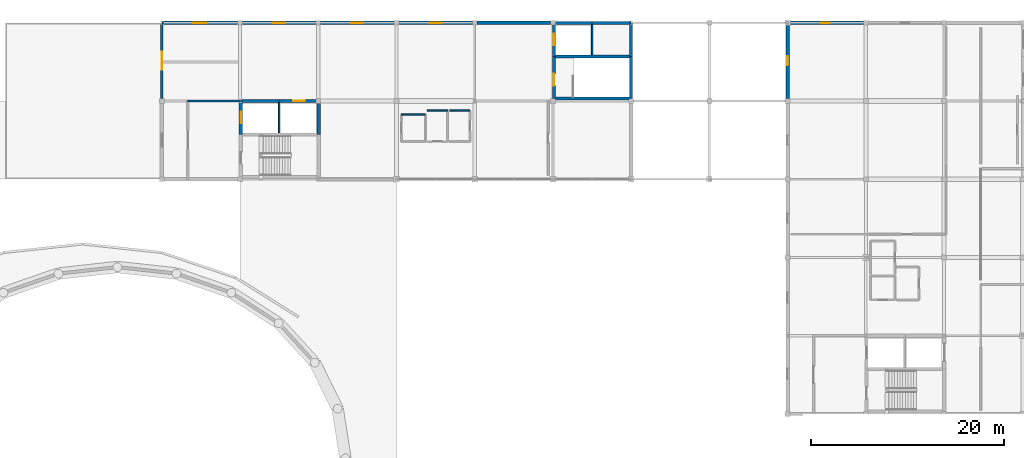
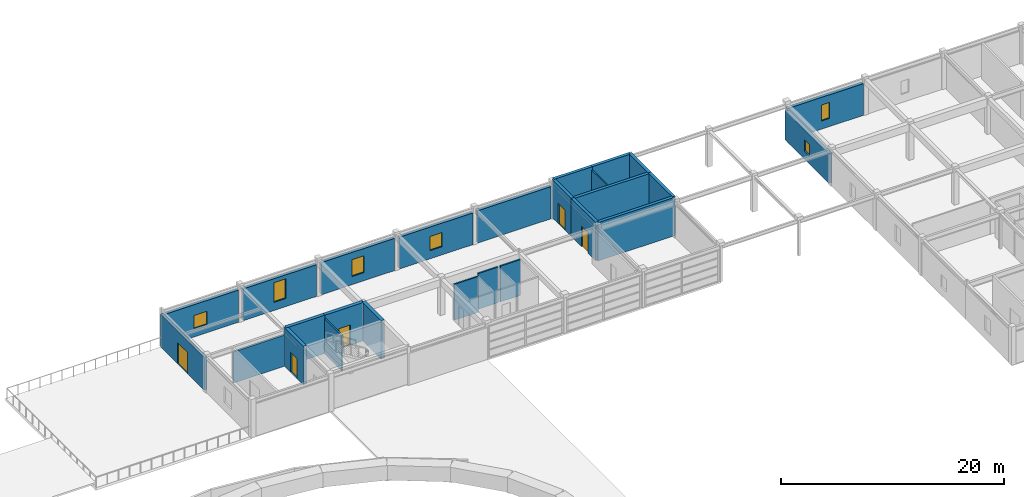
# One storey, part 19 of 26: 26 walls, 6 windows, 5 doors, 11 openings.
"""IFC4 building model written with IfcOpenShell, lengths in metres."""

from ifc_helpers import new_model, si_unit, direction, frame, frame_2d, origin, place, context, subcontext, project, spatial, rectangle, extrude, material, layer, layer_set, type_object, element, fill, save


model = new_model("IFC4")

# Units and contexts
model_context = context("Model", 3, precision=1e-05, world=origin(), true_north=direction((0.0, 1.0)))
body_context = subcontext(model_context, "Body", "Model", "MODEL_VIEW")
ifc_project = project(units=[si_unit("LENGTHUNIT", "METRE"), si_unit("AREAUNIT", "SQUARE_METRE"), si_unit("VOLUMEUNIT", "CUBIC_METRE"), si_unit("PLANEANGLEUNIT", "RADIAN"), si_unit("MASSUNIT", "GRAM", prefix="KILO")], contexts=[model_context])

# Site, building, storey
site_placement = place(None, origin())
site = spatial("IfcSite", under=ifc_project, at=site_placement, CompositionType="ELEMENT")
building_placement = place(site_placement, origin())
building = spatial("IfcBuilding", under=site, at=building_placement, Name="Parian Resonance Hall", CompositionType="ELEMENT")
storey_placement = place(building_placement, frame((0.0, 0.0, 19.199951171875)))
storey = spatial("IfcBuildingStorey", under=building, at=storey_placement, Name="L04", CompositionType="ELEMENT", Elevation=19.199951171875)

# Wall, opening, door
ifc_material_1 = material(Name="Concrete C40/50", Category="concrete")
ifc_layer_1 = layer(ifc_material_1, 0.31005859375)
ifc_layer_set_1 = layer_set([ifc_layer_1], Name="Concrete C40/50")
wall_type_1 = type_object("IfcWallType", Name="CW310", PredefinedType="SHEAR", material=ifc_layer_set_1)
wall_1_placement = place(storey_placement, frame((89.18994140625, 81.25, 0.0), z_axis=(0.0, 0.0, 1.0), x_axis=(0.0, 1.0, 0.0)))
wall_1 = element("IfcWall", 1, at=wall_1_placement, inside=storey, type_object=wall_type_1, Name="Core K5 stairwell west shear wall L04", PredefinedType="SHEAR", context=body_context, shape_type="SweptSolid", body=[
    extrude(rectangle(XDim=4.360107421875, YDim=0.31005859375, at=frame_2d((2.18017578125, 0.0))), origin(), (0.0, 0.0, 1.0), 4.199951171875),
])
opening_1_placement = place(wall_1_placement, frame((1.35009765625, 0.0, 0.0)))
opening_1 = element("IfcOpeningElement", 2, at=opening_1_placement, cuts=wall_1, Name="Opening FD-01", PredefinedType="OPENING", context=body_context, shape_type="SweptSolid", body=[
    extrude(rectangle(XDim=1.199951171875, YDim=2.25, at=frame_2d((0.60009765625, 1.125))), frame((0.0, 0.1650390625, 0.0), z_axis=(0.0, -1.0, 0.0), x_axis=(1.0, 0.0, 0.0)), (0.0, 0.0, 1.0), 0.330078125),
])
ifc_material_2 = material(Name="Fire-rated acoustic steel and narra timber door", Category="steel")
door_type_1 = type_object("IfcDoorType", Name="FD-01", OperationType="NOTDEFINED", PredefinedType="DOOR", material=ifc_material_2)
door_1_placement = place(opening_1_placement, origin())
door_1 = element("IfcDoor", 3, at=door_1_placement, inside=storey, type_object=door_type_1, Name="Exit stair ST-05 fire door L04", OperationType="SINGLE_SWING_RIGHT", OverallHeight=2.25, OverallWidth=1.199951171875, PredefinedType="DOOR", context=body_context, shape_type="SweptSolid", body=[
    extrude(rectangle(XDim=1.199951171875, YDim=2.25, at=frame_2d((0.60009765625, 1.125))), frame((0.0, 0.02490234375, 0.0), z_axis=(0.0, -1.0, 0.0), x_axis=(1.0, 0.0, 0.0)), (0.0, 0.0, 1.0), 0.050048828125),
])
fill(opening_1, door_1)

wall_2_placement = place(storey_placement, frame((89.18994140625, 85.610107421875, 0.0), z_axis=(0.0, 0.0, 1.0), x_axis=(0.0, 1.0, 0.0)))
wall_2 = element("IfcWall", 4, at=wall_2_placement, inside=storey, type_object=wall_type_1, Name="Core K5 lift shaft west shear wall L04", PredefinedType="SHEAR", context=body_context, shape_type="SweptSolid", body=[
    extrude(rectangle(XDim=3.489990234375, YDim=0.31005859375, at=frame_2d((1.7451171875, 0.0))), origin(), (0.0, 0.0, 1.0), 4.199951171875),
])
opening_2_placement = place(wall_2_placement, frame((1.14501953125, 0.0, 0.0)))
opening_2 = element("IfcOpeningElement", 5, at=opening_2_placement, cuts=wall_2, Name="Opening LD-01", PredefinedType="OPENING", context=body_context, shape_type="SweptSolid", body=[
    extrude(rectangle(XDim=1.199951171875, YDim=2.199951171875, at=frame_2d((0.60009765625, 1.10009765625))), frame((0.0, 0.1650390625, 0.0), z_axis=(0.0, -1.0, 0.0), x_axis=(1.0, 0.0, 0.0)), (0.0, 0.0, 1.0), 0.330078125),
])
ifc_material_3 = material(Name="Stainless steel and bronze elevator cab", Category="steel")
door_type_2 = type_object("IfcDoorType", Name="DOOR-LIFT-1200x2200", OperationType="SLIDING_TO_LEFT", PredefinedType="DOOR", material=ifc_material_3)
door_2_placement = place(opening_2_placement, origin())
door_2 = element("IfcDoor", 6, at=door_2_placement, inside=storey, type_object=door_type_2, Name="Lift LF-06 sliding landing door L04", OperationType="SLIDING_TO_LEFT", OverallHeight=2.199951171875, OverallWidth=1.199951171875, PredefinedType="DOOR", context=body_context, shape_type="SweptSolid", body=[
    extrude(rectangle(XDim=1.199951171875, YDim=2.199951171875, at=frame_2d((0.60009765625, 1.10009765625))), frame((0.0, 0.02490234375, 0.0), z_axis=(0.0, -1.0, 0.0), x_axis=(1.0, 0.0, 0.0)), (0.0, 0.0, 1.0), 0.050048828125),
])
fill(opening_2, door_2)

# Walls
wall_3_placement = place(storey_placement, frame((89.18994140625, 89.10009765625, 0.0), z_axis=(0.0, 0.0, 1.0), x_axis=(1.0, 0.0, 0.0)))
element("IfcWall", 7, at=wall_3_placement, inside=storey, type_object=wall_type_1, Name="Core K5 north-west shaft wall L04", PredefinedType="SHEAR", context=body_context, shape_type="SweptSolid", body=[
    extrude(rectangle(XDim=3.9599609375, YDim=0.31005859375, at=frame_2d((1.97998046875, 0.0))), origin(), (0.0, 0.0, 1.0), 4.199951171875),
])
wall_4_placement = place(storey_placement, frame((93.14990234375, 89.10009765625, 0.0), z_axis=(0.0, 0.0, 1.0), x_axis=(1.0, 0.0, 0.0)))
element("IfcWall", 8, at=wall_4_placement, inside=storey, type_object=wall_type_1, Name="Core K5 north-east shaft wall L04", PredefinedType="SHEAR", context=body_context, shape_type="SweptSolid", body=[
    extrude(rectangle(XDim=4.02001953125, YDim=0.31005859375, at=frame_2d((2.010009765625, 0.0))), origin(), (0.0, 0.0, 1.0), 4.199951171875),
])
wall_5_placement = place(storey_placement, frame((97.169921875, 89.10009765625, 0.0), z_axis=(0.0, 0.0, 1.0), x_axis=(0.0, -1.0, 0.0)))
element("IfcWall", 9, at=wall_5_placement, inside=storey, type_object=wall_type_1, Name="Core K5 east shaft wall L04", PredefinedType="SHEAR", context=body_context, shape_type="SweptSolid", body=[
    extrude(rectangle(XDim=3.489990234375, YDim=0.31005859375, at=frame_2d((1.7451171875, 0.0))), origin(), (0.0, 0.0, 1.0), 4.199951171875),
])
wall_6_placement = place(storey_placement, frame((97.169921875, 85.610107421875, 0.0), z_axis=(0.0, 0.0, 1.0), x_axis=(0.0, -1.0, 0.0)))
element("IfcWall", 10, at=wall_6_placement, inside=storey, type_object=wall_type_1, Name="Core K5 stairwell east wall L04", PredefinedType="SHEAR", context=body_context, shape_type="SweptSolid", body=[
    extrude(rectangle(XDim=4.360107421875, YDim=0.31005859375, at=frame_2d((2.18017578125, 0.0))), origin(), (0.0, 0.0, 1.0), 4.199951171875),
])
for number, where, z_axis, x_axis, name in (
    (11, (97.169921875, 81.25, 0.0), (0.0, 0.0, 1.0), (-1.0, 0.0, 0.0), "Core K5 stairwell south wall L04"),
    (12, (89.18994140625, 85.610107421875, 0.0), (0.0, 0.0, 1.0), (1.0, 0.0, 0.0), "Core K5 stair-lift divider wall L04"),
):
    element("IfcWall", number, at=place(storey_placement, frame(where, z_axis=z_axis, x_axis=x_axis)), inside=storey, type_object=wall_type_1, Name=name, PredefinedType="SHEAR", context=body_context, shape_type="SweptSolid", body=[
        extrude(rectangle(XDim=7.97998046875, YDim=0.31005859375, at=frame_2d((3.989990234375, 0.0))), origin(), (0.0, 0.0, 1.0), 4.199951171875),
    ])

# Wall, opening, door
ifc_material_4 = material(Name="Concrete C40/50", Category="concrete")
ifc_layer_2 = layer(ifc_material_4, 0.35009765625)
ifc_layer_set_2 = layer_set([ifc_layer_2], Name="Concrete C40/50")
wall_type_2 = type_object("IfcWallType", Name="CW350", PredefinedType="SHEAR", material=ifc_layer_set_2)
wall_7_placement = place(storey_placement, frame((56.77001953125, 77.550048828125, 0.0), z_axis=(0.0, 0.0, 1.0), x_axis=(0.0, 1.0, 0.0)))
wall_7 = element("IfcWall", 13, at=wall_7_placement, inside=storey, type_object=wall_type_2, Name="Core K1 lift shaft west shear wall L04", PredefinedType="SHEAR", context=body_context, shape_type="SweptSolid", body=[
    extrude(rectangle(XDim=3.449951171875, YDim=0.35009765625, at=frame_2d((1.72509765625, 0.0))), origin(), (0.0, 0.0, 1.0), 4.199951171875),
])
opening_3_placement = place(wall_7_placement, frame((1.125, 0.0, 0.0)))
opening_3 = element("IfcOpeningElement", 14, at=opening_3_placement, cuts=wall_7, Name="Opening LD-01", PredefinedType="OPENING", context=body_context, shape_type="SweptSolid", body=[
    extrude(rectangle(XDim=1.199951171875, YDim=2.199951171875, at=frame_2d((0.60009765625, 1.10009765625))), frame((0.0, 0.18505859375, 0.0), z_axis=(0.0, -1.0, 0.0), x_axis=(1.0, 0.0, 0.0)), (0.0, 0.0, 1.0), 0.3701171875),
])
door_3_placement = place(opening_3_placement, origin())
door_3 = element("IfcDoor", 15, at=door_3_placement, inside=storey, type_object=door_type_2, Name="Lift LF-01 sliding landing door L04", OperationType="SLIDING_TO_LEFT", OverallHeight=2.199951171875, OverallWidth=1.199951171875, PredefinedType="DOOR", context=body_context, shape_type="SweptSolid", body=[
    extrude(rectangle(XDim=1.199951171875, YDim=2.199951171875, at=frame_2d((0.60009765625, 1.10009765625))), frame((0.0, 0.02490234375, 0.0), z_axis=(0.0, -1.0, 0.0), x_axis=(1.0, 0.0, 0.0)), (0.0, 0.0, 1.0), 0.050048828125),
])
fill(opening_3, door_3)

# Wall
wall_8_placement = place(storey_placement, frame((56.77001953125, 81.0, 0.0), z_axis=(0.0, 0.0, 1.0), x_axis=(1.0, 0.0, 0.0)))
element("IfcWall", 16, at=wall_8_placement, inside=storey, type_object=wall_type_2, Name="Core K1 north-west shaft wall L04", PredefinedType="SHEAR", context=body_context, shape_type="SweptSolid", body=[
    extrude(rectangle(XDim=3.97998046875, YDim=0.35009765625, at=frame_2d((1.989990234375, 0.0))), origin(), (0.0, 0.0, 1.0), 4.199951171875),
])

# Wall, opening, door
wall_9_placement = place(storey_placement, frame((60.75, 81.0, 0.0), z_axis=(0.0, 0.0, 1.0), x_axis=(1.0, 0.0, 0.0)))
wall_9 = element("IfcWall", 17, at=wall_9_placement, inside=storey, type_object=wall_type_2, Name="Core K1 north-east shaft wall L04", PredefinedType="SHEAR", context=body_context, shape_type="SweptSolid", body=[
    extrude(rectangle(XDim=4.080078125, YDim=0.35009765625, at=frame_2d((2.0400390625, 0.0))), origin(), (0.0, 0.0, 1.0), 4.199951171875),
])
opening_4_placement = place(wall_9_placement, frame((1.43994140625, 0.0, 0.0)))
opening_4 = element("IfcOpeningElement", 18, at=opening_4_placement, cuts=wall_9, Name="Opening LD-01", PredefinedType="OPENING", context=body_context, shape_type="SweptSolid", body=[
    extrude(rectangle(XDim=1.199951171875, YDim=2.199951171875, at=frame_2d((0.60009765625, 1.10009765625))), frame((0.0, 0.18505859375, 0.0), z_axis=(0.0, -1.0, 0.0), x_axis=(1.0, 0.0, 0.0)), (0.0, 0.0, 1.0), 0.3701171875),
])
door_4_placement = place(opening_4_placement, origin())
door_4 = element("IfcDoor", 19, at=door_4_placement, inside=storey, type_object=door_type_2, Name="Lift LF-03 sliding landing door L04", OperationType="SLIDING_TO_LEFT", OverallHeight=2.199951171875, OverallWidth=1.199951171875, PredefinedType="DOOR", context=body_context, shape_type="SweptSolid", body=[
    extrude(rectangle(XDim=1.199951171875, YDim=2.199951171875, at=frame_2d((0.60009765625, 1.10009765625))), frame((0.0, 0.02490234375, 0.0), z_axis=(0.0, -1.0, 0.0), x_axis=(1.0, 0.0, 0.0)), (0.0, 0.0, 1.0), 0.050048828125),
])
fill(opening_4, door_4)

# Wall
wall_10_placement = place(storey_placement, frame((64.830078125, 81.0, 0.0), z_axis=(0.0, 0.0, 1.0), x_axis=(0.0, -1.0, 0.0)))
element("IfcWall", 20, at=wall_10_placement, inside=storey, type_object=wall_type_2, Name="Core K1 east shaft wall L04", PredefinedType="SHEAR", context=body_context, shape_type="SweptSolid", body=[
    extrude(rectangle(XDim=3.449951171875, YDim=0.35009765625, at=frame_2d((1.72509765625, 0.0))), origin(), (0.0, 0.0, 1.0), 4.199951171875),
])

# Wall, opening, window
ifc_material_5 = material(Name="Concrete C35/45 with Carcar coral-limestone ashlar", Category="masonry")
ifc_layer_3 = layer(ifc_material_5, 0.340087890625)
ifc_layer_set_3 = layer_set([ifc_layer_3], Name="Concrete C35/45 with Carcar coral-limestone ashlar")
wall_type_3 = type_object("IfcWallType", Name="EW-STONE-340", PredefinedType="SOLIDWALL", material=ifc_layer_set_3)
wall_11_placement = place(storey_placement, frame((121.25, 89.10009765625, 0.0), z_axis=(0.0, 0.0, 1.0), x_axis=(-1.0, 0.0, 0.0)))
wall_11 = element("IfcWall", 21, at=wall_11_placement, inside=storey, type_object=wall_type_3, Name="Perimeter closure wall L04", PredefinedType="SOLIDWALL", context=body_context, shape_type="SweptSolid", body=[
    extrude(rectangle(XDim=7.85009765625, YDim=0.340087890625, at=frame_2d((3.925048828125, 0.0))), origin(), (0.0, 0.0, 1.0), 3.485107421875),
])
opening_5_placement = place(wall_11_placement, frame((3.5, 0.0, 0.89990234375)))
opening_5 = element("IfcOpeningElement", 22, at=opening_5_placement, cuts=wall_11, Name="Opening WN-03", PredefinedType="OPENING", context=body_context, shape_type="SweptSolid", body=[
    extrude(rectangle(XDim=0.85009765625, YDim=1.75, at=frame_2d((0.425048828125, 0.875))), frame((0.0, 0.179931640625, 0.0), z_axis=(0.0, -1.0, 0.0), x_axis=(1.0, 0.0, 0.0)), (0.0, 0.0, 1.0), 0.360107421875),
])
ifc_material_6 = material(Name="Acoustic laminated double glazing", Category="glass")
window_type_1 = type_object("IfcWindowType", Name="WIN-850x1750", PartitioningType="SINGLE_PANEL", PredefinedType="WINDOW", material=ifc_material_6)
window_1_placement = place(opening_5_placement, origin())
window_1 = element("IfcWindow", 23, at=window_1_placement, inside=storey, type_object=window_type_1, Name="Acoustic window L04-0116", OverallHeight=1.75, OverallWidth=0.85009765625, PartitioningType="SINGLE_PANEL", PredefinedType="WINDOW", context=body_context, shape_type="SweptSolid", body=[
    extrude(rectangle(XDim=0.85009765625, YDim=1.75, at=frame_2d((0.425048828125, 0.875))), frame((0.0, 0.030029296875, 0.0), z_axis=(0.0, -1.0, 0.0), x_axis=(1.0, 0.0, 0.0)), (0.0, 0.0, 1.0), 0.06005859375),
])
fill(opening_5, window_1)

wall_12_placement = place(storey_placement, frame((113.39990234375, 89.10009765625, 0.0), z_axis=(0.0, 0.0, 1.0), x_axis=(0.0, -1.0, 0.0)))
wall_12 = element("IfcWall", 24, at=wall_12_placement, inside=storey, type_object=wall_type_3, Name="Perimeter closure wall L04", PredefinedType="SOLIDWALL", context=body_context, shape_type="SweptSolid", body=[
    extrude(rectangle(XDim=7.85009765625, YDim=0.340087890625, at=frame_2d((3.925048828125, 0.0))), origin(), (0.0, 0.0, 1.0), 3.254150390625),
])
opening_6_placement = place(wall_12_placement, frame((3.449951171875, 0.0, 0.89990234375)))
opening_6 = element("IfcOpeningElement", 25, at=opening_6_placement, cuts=wall_12, Name="Opening WN-04", PredefinedType="OPENING", context=body_context, shape_type="SweptSolid", body=[
    extrude(rectangle(XDim=0.949951171875, YDim=1.25, at=frame_2d((0.47509765625, 0.625))), frame((0.0, 0.179931640625, 0.0), z_axis=(0.0, -1.0, 0.0), x_axis=(1.0, 0.0, 0.0)), (0.0, 0.0, 1.0), 0.360107421875),
])
ifc_material_7 = material(Name="Acoustic laminated double glazing", Category="glass")
window_type_2 = type_object("IfcWindowType", Name="WIN-950x1250", PartitioningType="SINGLE_PANEL", PredefinedType="WINDOW", material=ifc_material_7)
window_2_placement = place(opening_6_placement, origin())
window_2 = element("IfcWindow", 26, at=window_2_placement, inside=storey, type_object=window_type_2, Name="Acoustic window L04-0117", OverallHeight=1.25, OverallWidth=0.949951171875, PartitioningType="SINGLE_PANEL", PredefinedType="WINDOW", context=body_context, shape_type="SweptSolid", body=[
    extrude(rectangle(XDim=0.949951171875, YDim=1.25, at=frame_2d((0.47509765625, 0.625))), frame((0.0, 0.030029296875, 0.0), z_axis=(0.0, -1.0, 0.0), x_axis=(1.0, 0.0, 0.0)), (0.0, 0.0, 1.0), 0.06005859375),
])
fill(opening_6, window_2)

# Wall
wall_13_placement = place(storey_placement, frame((88.85009765625, 89.10009765625, 0.0), z_axis=(0.0, 0.0, 1.0), x_axis=(-1.0, 0.0, 0.0)))
element("IfcWall", 27, at=wall_13_placement, inside=storey, type_object=wall_type_3, Name="Perimeter closure wall L04", PredefinedType="SOLIDWALL", context=body_context, shape_type="SweptSolid", body=[
    extrude(rectangle(XDim=7.60009765625, YDim=0.340087890625, at=frame_2d((3.800048828125, 0.0))), origin(), (0.0, 0.0, 1.0), 3.537109375),
])

# Wall, opening, window
wall_14_placement = place(storey_placement, frame((80.75, 89.10009765625, 0.0), z_axis=(0.0, 0.0, 1.0), x_axis=(-1.0, 0.0, 0.0)))
wall_14 = element("IfcWall", 28, at=wall_14_placement, inside=storey, type_object=wall_type_3, Name="Perimeter closure wall L04", PredefinedType="SOLIDWALL", context=body_context, shape_type="SweptSolid", body=[
    extrude(rectangle(XDim=7.60009765625, YDim=0.340087890625, at=frame_2d((3.800048828125, 0.0))), origin(), (0.0, 0.0, 1.0), 3.485107421875),
])
opening_7_placement = place(wall_14_placement, frame((3.175048828125, 0.0, 0.89990234375)))
opening_7 = element("IfcOpeningElement", 29, at=opening_7_placement, cuts=wall_14, Name="Opening WN-14", PredefinedType="OPENING", context=body_context, shape_type="SweptSolid", body=[
    extrude(rectangle(XDim=1.25, YDim=1.550048828125, at=frame_2d((0.625, 0.77490234375))), frame((0.0, 0.179931640625, 0.0), z_axis=(0.0, -1.0, 0.0), x_axis=(1.0, 0.0, 0.0)), (0.0, 0.0, 1.0), 0.360107421875),
])
ifc_material_8 = material(Name="Acoustic laminated double glazing", Category="glass")
window_type_3 = type_object("IfcWindowType", Name="WIN-1250x1550", PartitioningType="SINGLE_PANEL", PredefinedType="WINDOW", material=ifc_material_8)
window_3_placement = place(opening_7_placement, origin())
window_3 = element("IfcWindow", 30, at=window_3_placement, inside=storey, type_object=window_type_3, Name="Acoustic window L04-0123", OverallHeight=1.550048828125, OverallWidth=1.25, PartitioningType="SINGLE_PANEL", PredefinedType="WINDOW", context=body_context, shape_type="SweptSolid", body=[
    extrude(rectangle(XDim=1.25, YDim=1.550048828125, at=frame_2d((0.625, 0.77490234375))), frame((0.0, 0.030029296875, 0.0), z_axis=(0.0, -1.0, 0.0), x_axis=(1.0, 0.0, 0.0)), (0.0, 0.0, 1.0), 0.06005859375),
])
fill(opening_7, window_3)

wall_15_placement = place(storey_placement, frame((72.64990234375, 89.10009765625, 0.0), z_axis=(0.0, 0.0, 1.0), x_axis=(-1.0, 0.0, 0.0)))
wall_15 = element("IfcWall", 31, at=wall_15_placement, inside=storey, type_object=wall_type_3, Name="Perimeter closure wall L04", PredefinedType="SOLIDWALL", context=body_context, shape_type="SweptSolid", body=[
    extrude(rectangle(XDim=7.599853515625, YDim=0.340087890625, at=frame_2d((3.7998046875, 0.0))), origin(), (0.0, 0.0, 1.0), 3.537109375),
])
opening_8_placement = place(wall_15_placement, frame((3.175048828125, 0.0, 0.89990234375)))
opening_8 = element("IfcOpeningElement", 32, at=opening_8_placement, cuts=wall_15, Name="Opening WN-15", PredefinedType="OPENING", context=body_context, shape_type="SweptSolid", body=[
    extrude(rectangle(XDim=1.25, YDim=1.85009765625, at=frame_2d((0.625, 0.925048828125))), frame((0.0, 0.179931640625, 0.0), z_axis=(0.0, -1.0, 0.0), x_axis=(1.0, 0.0, 0.0)), (0.0, 0.0, 1.0), 0.360107421875),
])
ifc_material_9 = material(Name="Acoustic laminated double glazing", Category="glass")
window_type_4 = type_object("IfcWindowType", Name="WIN-1250x1850", PartitioningType="SINGLE_PANEL", PredefinedType="WINDOW", material=ifc_material_9)
window_4_placement = place(opening_8_placement, origin())
window_4 = element("IfcWindow", 33, at=window_4_placement, inside=storey, type_object=window_type_4, Name="Acoustic window L04-0124", OverallHeight=1.85009765625, OverallWidth=1.25, PartitioningType="SINGLE_PANEL", PredefinedType="WINDOW", context=body_context, shape_type="SweptSolid", body=[
    extrude(rectangle(XDim=1.25, YDim=1.85009765625, at=frame_2d((0.625, 0.925048828125))), frame((0.0, 0.030029296875, 0.0), z_axis=(0.0, -1.0, 0.0), x_axis=(1.0, 0.0, 0.0)), (0.0, 0.0, 1.0), 0.06005859375),
])
fill(opening_8, window_4)

wall_16_placement = place(storey_placement, frame((64.550048828125, 89.10009765625, 0.0), z_axis=(0.0, 0.0, 1.0), x_axis=(-1.0, 0.0, 0.0)))
wall_16 = element("IfcWall", 34, at=wall_16_placement, inside=storey, type_object=wall_type_3, Name="Perimeter closure wall L04", PredefinedType="SOLIDWALL", context=body_context, shape_type="SweptSolid", body=[
    extrude(rectangle(XDim=7.60009765625, YDim=0.340087890625, at=frame_2d((3.800048828125, 0.0))), origin(), (0.0, 0.0, 1.0), 3.485107421875),
])
opening_9_placement = place(wall_16_placement, frame((3.175048828125, 0.0, 0.89990234375)))
opening_9 = element("IfcOpeningElement", 35, at=opening_9_placement, cuts=wall_16, Name="Opening WN-16", PredefinedType="OPENING", context=body_context, shape_type="SweptSolid", body=[
    extrude(rectangle(XDim=1.25, YDim=2.14990234375, at=frame_2d((0.625, 1.074951171875))), frame((0.0, 0.179931640625, 0.0), z_axis=(0.0, -1.0, 0.0), x_axis=(1.0, 0.0, 0.0)), (0.0, 0.0, 1.0), 0.360107421875),
])
ifc_material_10 = material(Name="Acoustic laminated double glazing", Category="glass")
window_type_5 = type_object("IfcWindowType", Name="WIN-1250x2150", PartitioningType="SINGLE_PANEL", PredefinedType="WINDOW", material=ifc_material_10)
window_5_placement = place(opening_9_placement, origin())
window_5 = element("IfcWindow", 36, at=window_5_placement, inside=storey, type_object=window_type_5, Name="Acoustic window L04-0125", OverallHeight=2.14990234375, OverallWidth=1.25, PartitioningType="SINGLE_PANEL", PredefinedType="WINDOW", context=body_context, shape_type="SweptSolid", body=[
    extrude(rectangle(XDim=1.25, YDim=2.14990234375, at=frame_2d((0.625, 1.074951171875))), frame((0.0, 0.030029296875, 0.0), z_axis=(0.0, -1.0, 0.0), x_axis=(1.0, 0.0, 0.0)), (0.0, 0.0, 1.0), 0.06005859375),
])
fill(opening_9, window_5)

wall_17_placement = place(storey_placement, frame((56.449951171875, 89.10009765625, 0.0), z_axis=(0.0, 0.0, 1.0), x_axis=(-1.0, 0.0, 0.0)))
wall_17 = element("IfcWall", 37, at=wall_17_placement, inside=storey, type_object=wall_type_3, Name="Perimeter closure wall L04", PredefinedType="SOLIDWALL", context=body_context, shape_type="SweptSolid", body=[
    extrude(rectangle(XDim=7.849853515625, YDim=0.340087890625, at=frame_2d((3.9248046875, 0.0))), origin(), (0.0, 0.0, 1.0), 3.537109375),
])
opening_10_placement = place(wall_17_placement, frame((3.25, 0.0, 0.89990234375)))
opening_10 = element("IfcOpeningElement", 38, at=opening_10_placement, cuts=wall_17, Name="Opening WN-17", PredefinedType="OPENING", context=body_context, shape_type="SweptSolid", body=[
    extrude(rectangle(XDim=1.35009765625, YDim=1.449951171875, at=frame_2d((0.675048828125, 0.72509765625))), frame((0.0, 0.179931640625, 0.0), z_axis=(0.0, -1.0, 0.0), x_axis=(1.0, 0.0, 0.0)), (0.0, 0.0, 1.0), 0.360107421875),
])
ifc_material_11 = material(Name="Acoustic laminated double glazing", Category="glass")
window_type_6 = type_object("IfcWindowType", Name="WIN-1350x1450", PartitioningType="SINGLE_PANEL", PredefinedType="WINDOW", material=ifc_material_11)
window_6_placement = place(opening_10_placement, origin())
window_6 = element("IfcWindow", 39, at=window_6_placement, inside=storey, type_object=window_type_6, Name="Acoustic window L04-0126", OverallHeight=1.449951171875, OverallWidth=1.35009765625, PartitioningType="SINGLE_PANEL", PredefinedType="WINDOW", context=body_context, shape_type="SweptSolid", body=[
    extrude(rectangle(XDim=1.35009765625, YDim=1.449951171875, at=frame_2d((0.675048828125, 0.72509765625))), frame((0.0, 0.030029296875, 0.0), z_axis=(0.0, -1.0, 0.0), x_axis=(1.0, 0.0, 0.0)), (0.0, 0.0, 1.0), 0.06005859375),
])
fill(opening_10, window_6)

# Wall, opening, door
ifc_material_12 = material(Name="Concrete C35/45 with Carcar coral-limestone ashlar", Category="masonry")
ifc_layer_4 = layer(ifc_material_12, 0.27001953125)
ifc_layer_set_4 = layer_set([ifc_layer_4], Name="Concrete C35/45 with Carcar coral-limestone ashlar")
wall_type_4 = type_object("IfcWallType", Name="EW-STUDIO-270", PredefinedType="SOLIDWALL", material=ifc_layer_set_4)
wall_18_placement = place(storey_placement, frame((48.60009765625, 81.25, 0.0), z_axis=(0.0, 0.0, 1.0), x_axis=(0.0, 1.0, 0.0)))
wall_18 = element("IfcWall", 40, at=wall_18_placement, inside=storey, type_object=wall_type_4, Name="Exterior wall EW-L04-0153", PredefinedType="SOLIDWALL", context=body_context, shape_type="SweptSolid", body=[
    extrude(rectangle(XDim=7.85009765625, YDim=0.27001953125, at=frame_2d((3.925048828125, 0.0))), origin(), (0.0, 0.0, 1.0), 3.59716796875),
])
opening_11_placement = place(wall_18_placement, frame((3.0048828125, 0.0, 0.0)))
opening_11 = element("IfcOpeningElement", 41, at=opening_11_placement, cuts=wall_18, Name="Opening TD-01", PredefinedType="OPENING", context=body_context, shape_type="SweptSolid", body=[
    extrude(rectangle(XDim=1.840087890625, YDim=2.320068359375, at=frame_2d((0.919921875, 1.16015625))), frame((0.0, 0.14501953125, 0.0), z_axis=(0.0, -1.0, 0.0), x_axis=(1.0, 0.0, 0.0)), (0.0, 0.0, 1.0), 0.2900390625),
])
ifc_material_13 = material(Name="Marine-grade bronze and acoustic glazed door")
door_type_3 = type_object("IfcDoorType", Name="ED-TERR-1840x2320", OperationType="NOTDEFINED", PredefinedType="DOOR", material=ifc_material_13)
door_5_placement = place(opening_11_placement, origin())
door_5 = element("IfcDoor", 42, at=door_5_placement, inside=storey, type_object=door_type_3, Name="Foyer Roof Terrace access door TD-L04-W", OperationType="DOUBLE_DOOR_SINGLE_SWING", OverallHeight=2.320068359375, OverallWidth=1.840087890625, PredefinedType="DOOR", context=body_context, shape_type="SweptSolid", body=[
    extrude(rectangle(XDim=1.840087890625, YDim=2.320068359375, at=frame_2d((0.919921875, 1.16015625))), frame((0.0, 0.02490234375, 0.0), z_axis=(0.0, -1.0, 0.0), x_axis=(1.0, 0.0, 0.0)), (0.0, 0.0, 1.0), 0.050048828125),
])
fill(opening_11, door_5)

# Walls
ifc_material_14 = material(Name="Concrete C35/45 fire barrier", Category="concrete")
ifc_layer_5 = layer(ifc_material_14, 0.199951171875)
ifc_layer_set_5 = layer_set([ifc_layer_5], Name="Concrete C35/45 fire barrier")
wall_type_5 = type_object("IfcWallType", Name="FW200", PredefinedType="PARTITIONING", material=ifc_layer_set_5)
wall_19_placement = place(storey_placement, frame((51.300048828125, 81.0, 0.0), z_axis=(0.0, 0.0, 1.0), x_axis=(1.0, 0.0, 0.0)))
element("IfcWall", 43, at=wall_19_placement, inside=storey, type_object=wall_type_5, Name="Firefighting lift lobby K1 N fire barrier L04", PredefinedType="PARTITIONING", context=body_context, shape_type="SweptSolid", body=[
    extrude(rectangle(XDim=5.469970703125, YDim=0.199951171875, at=frame_2d((2.73486328125, 0.0))), origin(), (0.0, 0.0, 1.0), 3.421142578125),
])
ifc_material_15 = material(Name="Concrete C35/45 acoustic plumbing chase wall", Category="concrete")
ifc_layer_6 = layer(ifc_material_15, 0.14990234375)
ifc_layer_set_6 = layer_set([ifc_layer_6], Name="Concrete C35/45 acoustic plumbing chase wall")
wall_type_6 = type_object("IfcWallType", Name="PW150", PredefinedType="PLUMBINGWALL", material=ifc_layer_set_6)
wall_20_placement = place(storey_placement, frame((60.75, 77.7099609375, 0.0), z_axis=(0.0, 0.0, 1.0), x_axis=(0.0, 1.0, 0.0)))
element("IfcWall", 44, at=wall_20_placement, inside=storey, type_object=wall_type_6, Name="Core K1 shaft plumbing/riser divider L04", PredefinedType="PLUMBINGWALL", context=body_context, shape_type="SweptSolid", body=[
    extrude(rectangle(XDim=3.130126953125, YDim=0.14990234375, at=frame_2d((1.56494140625, 0.0))), origin(), (0.0, 0.0, 1.0), 3.85009765625),
])
wall_21_placement = place(storey_placement, frame((93.14990234375, 85.77001953125, 0.0), z_axis=(0.0, 0.0, 1.0), x_axis=(0.0, 1.0, 0.0)))
element("IfcWall", 45, at=wall_21_placement, inside=storey, type_object=wall_type_6, Name="Core K5 shaft plumbing/riser divider L04", PredefinedType="PLUMBINGWALL", context=body_context, shape_type="SweptSolid", body=[
    extrude(rectangle(XDim=3.169921875, YDim=0.14990234375, at=frame_2d((1.5849609375, 0.0))), origin(), (0.0, 0.0, 1.0), 3.85009765625),
])
wall_22_placement = place(storey_placement, frame((73.39990234375, 79.60009765625, 0.0), z_axis=(0.0, 0.0, 1.0), x_axis=(1.0, 0.0, 0.0)))
element("IfcWall", 46, at=wall_22_placement, inside=storey, type_object=wall_type_6, Name="Interior acoustic partition IW-L04-0249", PredefinedType="PLUMBINGWALL", context=body_context, shape_type="SweptSolid", body=[
    extrude(rectangle(XDim=2.5, YDim=0.14990234375, at=frame_2d((1.25, 0.0))), origin(), (0.0, 0.0, 1.0), 3.920166015625),
])
wall_23_placement = place(storey_placement, frame((76.10009765625, 80.0, 0.0), z_axis=(0.0, 0.0, 1.0), x_axis=(1.0, 0.0, 0.0)))
element("IfcWall", 47, at=wall_23_placement, inside=storey, type_object=wall_type_6, Name="Interior acoustic partition IW-L04-0252", PredefinedType="PLUMBINGWALL", context=body_context, shape_type="SweptSolid", body=[
    extrude(rectangle(XDim=2.099853515625, YDim=0.14990234375, at=frame_2d((1.0498046875, 0.0))), origin(), (0.0, 0.0, 1.0), 3.920166015625),
])
wall_24_placement = place(storey_placement, frame((78.39990234375, 80.0, 0.0), z_axis=(0.0, 0.0, 1.0), x_axis=(1.0, 0.0, 0.0)))
element("IfcWall", 48, at=wall_24_placement, inside=storey, type_object=wall_type_6, Name="Interior acoustic partition IW-L04-0255", PredefinedType="PLUMBINGWALL", context=body_context, shape_type="SweptSolid", body=[
    extrude(rectangle(XDim=2.10009765625, YDim=0.14990234375, at=frame_2d((1.050048828125, 0.0))), origin(), (0.0, 0.0, 1.0), 3.920166015625),
])

save(model, "model.ifc")
